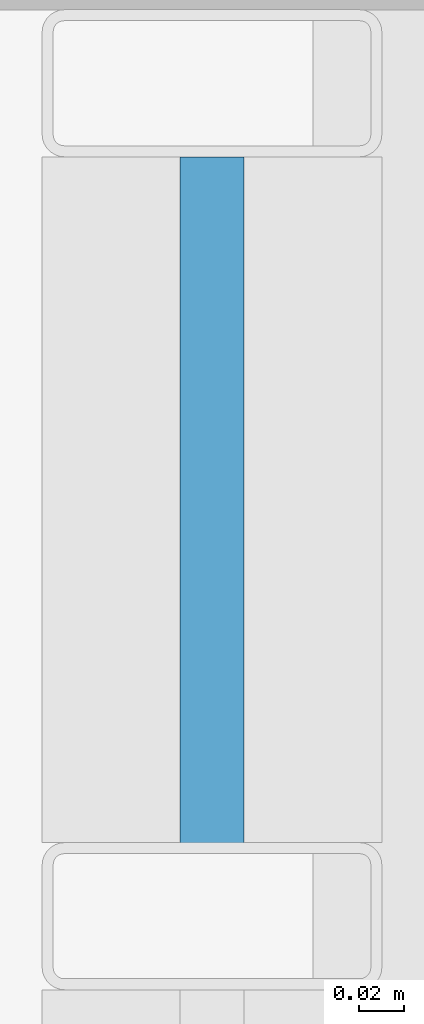
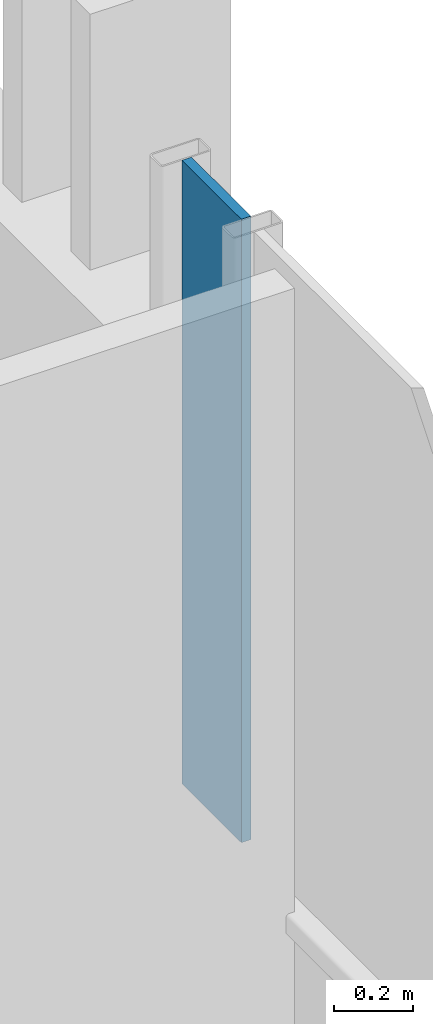
# One storey, part 28 of 40: 1 plate, 1 element without a shape of its own.
"""IFC4 building model written with IfcOpenShell, lengths in metres."""

from ifc_helpers import new_model, si_unit, direction, frame, origin, origin_2d, place, context, subcontext, project, spatial, rectangle, extrude, material, layer, layer_set, type_object, element, aggregate, save


model = new_model("IFC4")

# Units and contexts
model_context = context("Model", 3, precision=1e-05, world=origin(), true_north=direction((0.0, 1.0)))
body_context = subcontext(model_context, "Body", "Model", "MODEL_VIEW")
ifc_project = project(units=[si_unit("LENGTHUNIT", "METRE"), si_unit("AREAUNIT", "SQUARE_METRE"), si_unit("VOLUMEUNIT", "CUBIC_METRE"), si_unit("PLANEANGLEUNIT", "RADIAN"), si_unit("MASSUNIT", "GRAM", prefix="KILO")], contexts=[model_context])

# Site, building, storey
site_placement = place(None, origin())
site = spatial("IfcSite", under=ifc_project, at=site_placement, CompositionType="ELEMENT")
building_placement = place(site_placement, origin())
building = spatial("IfcBuilding", under=site, at=building_placement, Name="Brevholm Reach", CompositionType="ELEMENT")
storey_placement = place(building_placement, frame((0.0, 0.0, 31.10009765625)))
storey = spatial("IfcBuildingStorey", under=building, at=storey_placement, Name="L07", CompositionType="ELEMENT", Elevation=31.10009765625)

# Curtain wall, plate
ifc_material_1 = material(Name="Dark Anodised Aluminium 6063-T6 and Solar-Control Glass", Category="aluminium")
ifc_layer_1 = layer(ifc_material_1, 0.14990234375)
ifc_layer_set_1 = layer_set([ifc_layer_1], Name="Dark Anodised Aluminium 6063-T6 and Solar-Control Glass")
curtain_wall_type = type_object("IfcCurtainWallType", Name="CW-01", PredefinedType="NOTDEFINED", material=ifc_layer_set_1)
curtain_wall_placement = place(storey_placement, origin())
curtain_wall = element("IfcCurtainWall", 1, at=curtain_wall_placement, inside=storey, type_object=curtain_wall_type, Name="L07 Curtain Wall CW-01", PredefinedType="NOTDEFINED")
ifc_material_2 = material(Name="Dark Solar-Control Double-Glazed IGU Glass", Category="glass")
ifc_layer_2 = layer(ifc_material_2, 0.028076171875)
ifc_layer_set_2 = layer_set([ifc_layer_2], Name="Dark Solar-Control Double-Glazed IGU Glass")
plate_type = type_object("IfcPlateType", Name="CWP-GLZ-28", PredefinedType="CURTAIN_PANEL", material=ifc_layer_set_2)
plate_placement = place(storey_placement, frame((59.85009765625, 22.733642578125, 0.932373046875), z_axis=(0.0, 0.0, 1.0), x_axis=(0.0, 1.0, 0.0)))
plate = element("IfcPlate", 2, at=plate_placement, type_object=plate_type, Name="CP-01 Glazing Panel 5.2", PredefinedType="CURTAIN_PANEL", context=body_context, shape_type="SweptSolid", body=[
    extrude(rectangle(XDim=0.302490234375, YDim=0.028076171875, at=origin_2d()), origin(), (0.0, 0.0, 1.0), 1.9375),
])
aggregate(curtain_wall, [plate])

save(model, "model.ifc")
